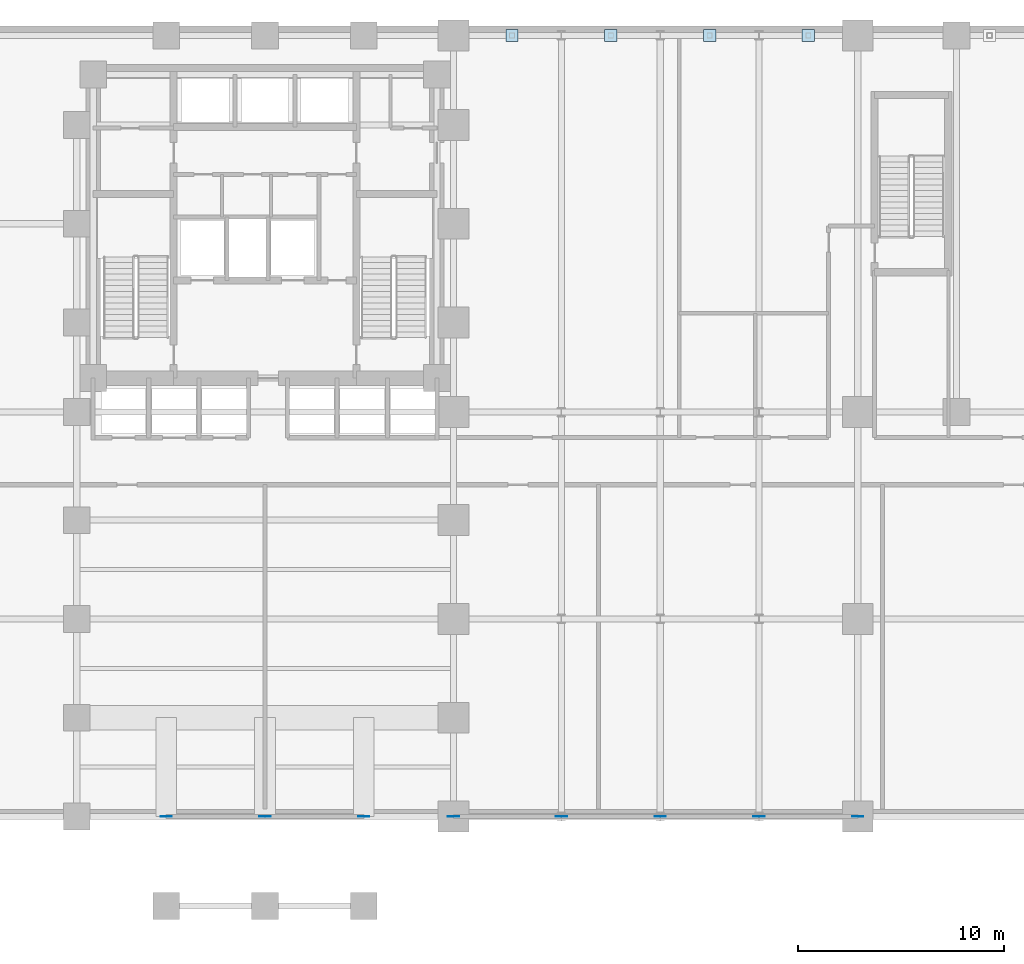
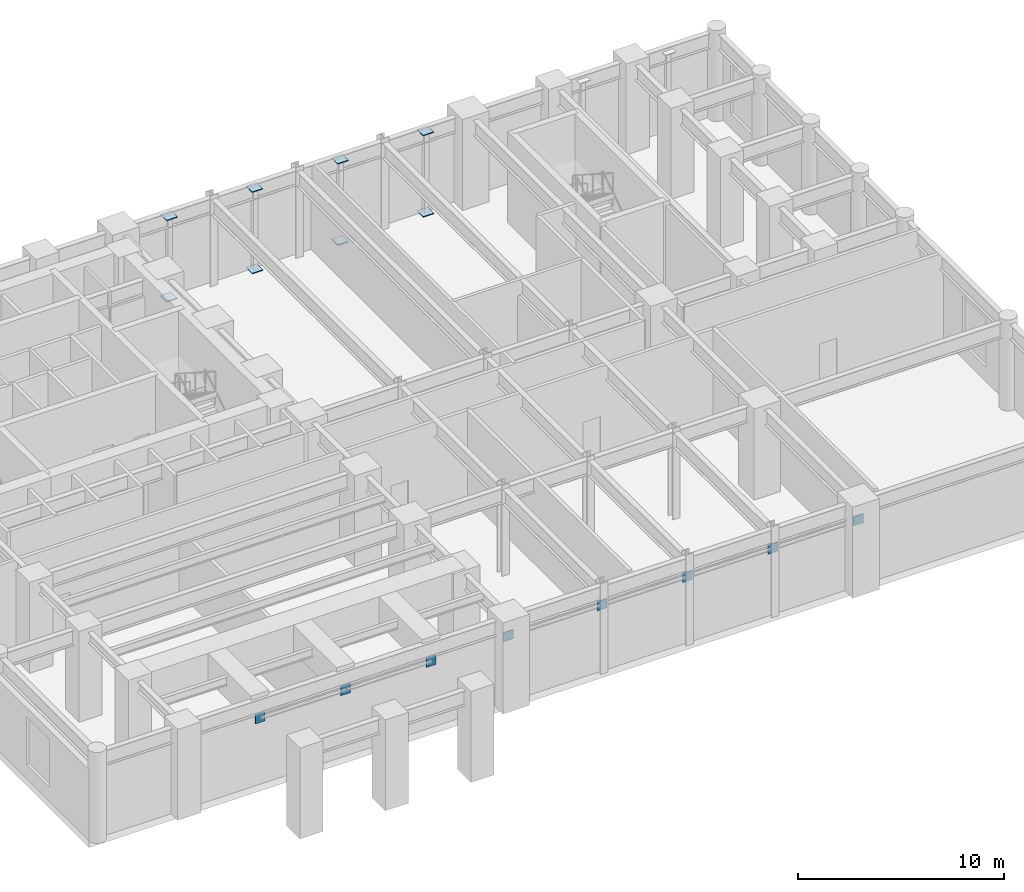
# One storey, part 5 of 10: 16 plates.
"""IFC4 building model written with IfcOpenShell, lengths in metres."""

from ifc_helpers import new_model, si_unit, direction, frame, origin, origin_2d, place, context, subcontext, project, spatial, rectangle, extrude, material, layer, layer_set, type_object, element, save


model = new_model("IFC4")

# Units and contexts
model_context = context("Model", 3, precision=1e-05, world=origin(), true_north=direction((0.0, 1.0)))
body_context = subcontext(model_context, "Body", "Model", "MODEL_VIEW")
ifc_project = project(units=[si_unit("LENGTHUNIT", "METRE"), si_unit("AREAUNIT", "SQUARE_METRE"), si_unit("VOLUMEUNIT", "CUBIC_METRE"), si_unit("PLANEANGLEUNIT", "RADIAN"), si_unit("MASSUNIT", "GRAM", prefix="KILO")], contexts=[model_context])

# Site, building, storey
site_placement = place(None, origin())
site = spatial("IfcSite", under=ifc_project, at=site_placement, CompositionType="ELEMENT")
building_placement = place(site_placement, origin())
building = spatial("IfcBuilding", under=site, at=building_placement, Name="Orvandelia Arch Residences", CompositionType="ELEMENT")
storey_placement = place(building_placement, frame((0.0, 0.0, 19.60009765625)))
storey = spatial("IfcBuildingStorey", under=building, at=storey_placement, Name="L04", CompositionType="ELEMENT", Elevation=19.60009765625)

# Plates
ifc_material = material(Name="Structural Steel HSA650 (650 MPa)", Category="steel")
ifc_layer_1 = layer(ifc_material, 0.050048828125, Name="Structural Steel HSA650 (650 MPa)", Category="steel")
ifc_layer_set_1 = layer_set([ifc_layer_1], Name="Structural Steel HSA650 (650 MPa)")
plate_type_1 = type_object("IfcPlateType", Name="PLT-BASE-600", PredefinedType="USERDEFINED", material=ifc_layer_set_1)
for number, where, z_axis, x_axis, name in (
    (1, (26.39990234375, 47.550048828125, 0.0), (0.0, 0.0, 1.0), (1.0, 0.0, 0.0), "Stiffener Post Base Plate BP-1"),
    (2, (26.39990234375, 47.550048828125, 4.82470703125), (0.0, 0.0, 1.0), (1.0, 0.0, 0.0), "Stiffener Post Cap Plate BP-1"),
    (3, (31.199951171875, 47.550048828125, 0.0), (0.0, 0.0, 1.0), (1.0, 0.0, 0.0), "Stiffener Post Base Plate BP-2"),
    (4, (31.199951171875, 47.550048828125, 4.82470703125), (0.0, 0.0, 1.0), (1.0, 0.0, 0.0), "Stiffener Post Cap Plate BP-2"),
    (5, (36.0, 47.550048828125, 0.0), (0.0, 0.0, 1.0), (1.0, 0.0, 0.0), "Stiffener Post Base Plate BP-3"),
    (6, (36.0, 47.550048828125, 4.82470703125), (0.0, 0.0, 1.0), (1.0, 0.0, 0.0), "Stiffener Post Cap Plate BP-3"),
    (7, (40.800048828125, 47.550048828125, 0.0), (0.0, 0.0, 1.0), (1.0, 0.0, 0.0), "Stiffener Post Base Plate BP-4"),
    (8, (40.800048828125, 47.550048828125, 4.82470703125), (0.0, 0.0, 1.0), (1.0, 0.0, 0.0), "Stiffener Post Cap Plate BP-4"),
):
    element("IfcPlate", number, at=place(storey_placement, frame(where, z_axis=z_axis, x_axis=x_axis)), inside=storey, type_object=plate_type_1, Name=name, ObjectType="BASE_PLATE", PredefinedType="USERDEFINED", context=body_context, shape_type="SweptSolid", body=[
        extrude(rectangle(XDim=0.60009765625, YDim=0.60009765625, at=origin_2d()), origin(), (0.0, 0.0, 1.0), 0.050048828125),
    ])
ifc_layer_2 = layer(ifc_material, 0.0400390625, Name="Structural Steel HSA650 (650 MPa)", Category="steel")
ifc_layer_set_2 = layer_set([ifc_layer_2], Name="Structural Steel HSA650 (650 MPa)")
plate_type_2 = type_object("IfcPlateType", Name="PLT-GUSSET-550", PredefinedType="USERDEFINED", material=ifc_layer_set_2)
for number, where, z_axis, x_axis, name in (
    (9, (9.60009765625, 9.60009765625, 3.6748046875), (0.0, 0.0, 1.0), (1.0, 0.0, 0.0), "Collector Tie End Gusset Plate TM-1-W"),
    (10, (14.39990234375, 9.60009765625, 3.6748046875), (0.0, 0.0, 1.0), (1.0, 0.0, 0.0), "Collector Tie End Gusset Plate TM-1-E"),
    (11, (19.199951171875, 9.60009765625, 3.6748046875), (0.0, 0.0, 1.0), (1.0, 0.0, 0.0), "Collector Tie End Gusset Plate TM-2-E"),
    (12, (23.550048828125, 9.60009765625, 3.6748046875), (0.0, 0.0, 1.0), (1.0, 0.0, 0.0), "Collector Tie End Gusset Plate TM-3-W"),
    (13, (28.800048828125, 9.60009765625, 3.6748046875), (0.0, 0.0, 1.0), (1.0, 0.0, 0.0), "Collector Tie End Gusset Plate TM-3-E"),
    (14, (33.60009765625, 9.60009765625, 3.6748046875), (0.0, 0.0, 1.0), (1.0, 0.0, 0.0), "Collector Tie End Gusset Plate TM-4-E"),
    (15, (38.39990234375, 9.60009765625, 3.6748046875), (0.0, 0.0, 1.0), (1.0, 0.0, 0.0), "Collector Tie End Gusset Plate TM-5-E"),
    (16, (43.199951171875, 9.60009765625, 3.6748046875), (0.0, 0.0, 1.0), (1.0, 0.0, 0.0), "Collector Tie End Gusset Plate TM-6-E"),
):
    element("IfcPlate", number, at=place(storey_placement, frame(where, z_axis=z_axis, x_axis=x_axis)), inside=storey, type_object=plate_type_2, Name=name, ObjectType="GUSSET_PLATE", PredefinedType="USERDEFINED", context=body_context, shape_type="SweptSolid", body=[
        extrude(rectangle(XDim=0.550048828125, YDim=0.0400390625, at=origin_2d()), origin(), (0.0, 0.0, 1.0), 0.550048828125),
    ])

save(model, "model.ifc")
